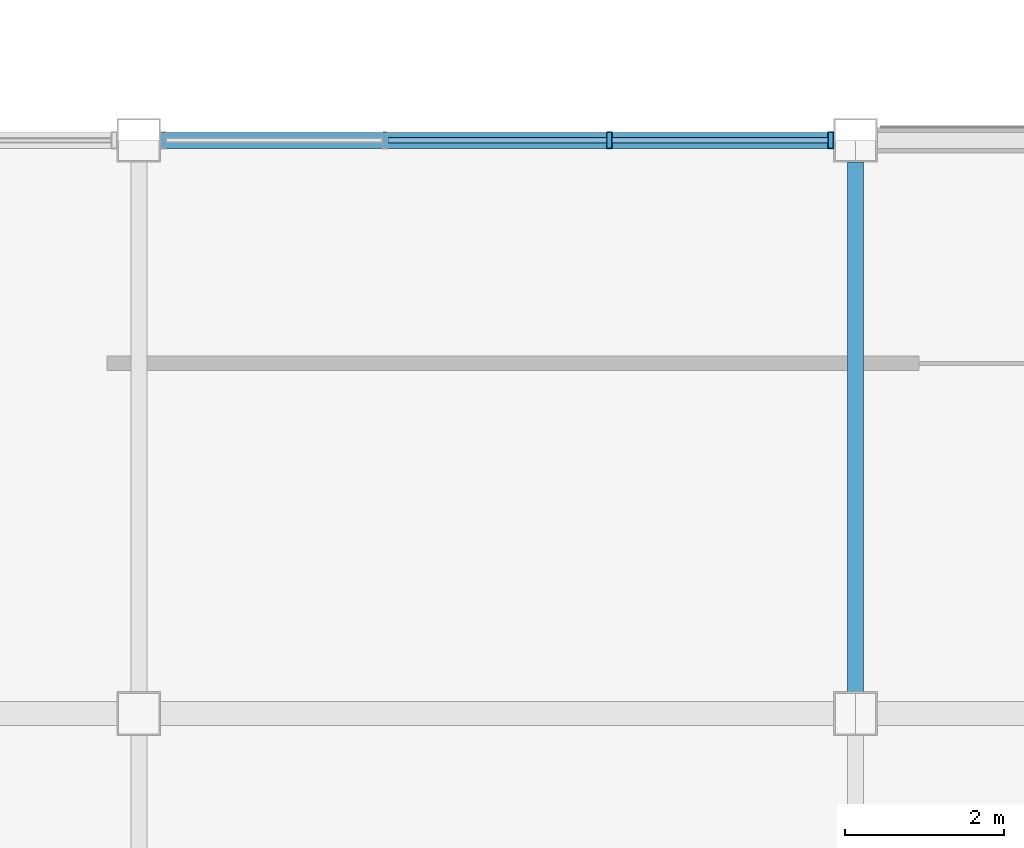
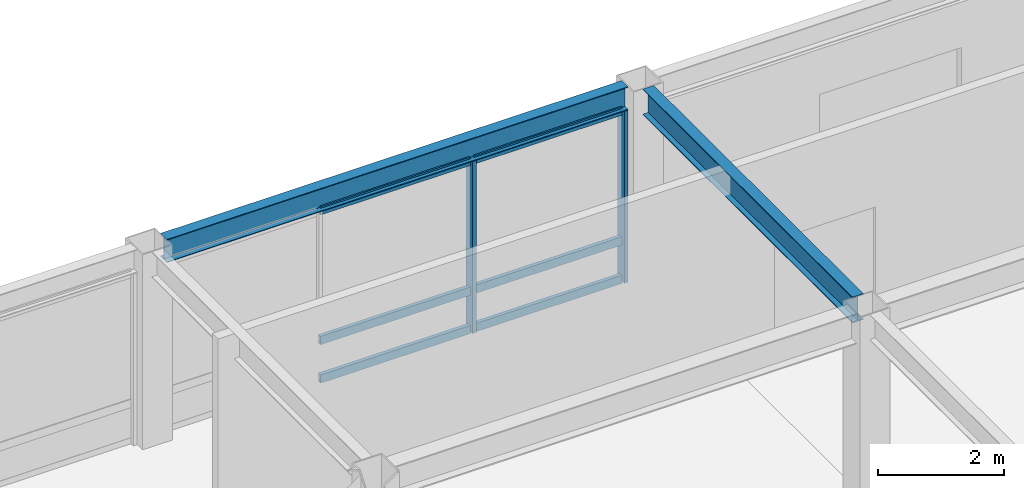
# One storey, part 44 of 113: 8 members, 2 beams, 1 element without a shape of its own.
"""IFC4 building model written with IfcOpenShell, lengths in metres."""

from ifc_helpers import new_model, si_unit, direction, frame, origin, origin_2d, place, context, subcontext, project, spatial, hollow_rectangle, i_section, extrude, material, material_profile, profile_set, type_object, element, aggregate, save


model = new_model("IFC4")

# Units and contexts
model_context = context("Model", 3, precision=1e-05, world=origin(), true_north=direction((0.0, 1.0)))
body_context = subcontext(model_context, "Body", "Model", "MODEL_VIEW")
ifc_project = project(units=[si_unit("LENGTHUNIT", "METRE"), si_unit("AREAUNIT", "SQUARE_METRE"), si_unit("VOLUMEUNIT", "CUBIC_METRE"), si_unit("PLANEANGLEUNIT", "RADIAN"), si_unit("MASSUNIT", "GRAM", prefix="KILO")], contexts=[model_context])

# Site, building, storey
site_placement = place(None, origin())
site = spatial("IfcSite", under=ifc_project, at=site_placement, CompositionType="ELEMENT")
building_placement = place(site_placement, origin())
building = spatial("IfcBuilding", under=site, at=building_placement, Name="Kazanami Central Library", CompositionType="ELEMENT")
storey_placement = place(building_placement, frame((0.0, 0.0, 8.800048828125)))
storey = spatial("IfcBuildingStorey", under=building, at=storey_placement, Name="L03", CompositionType="ELEMENT", Elevation=8.800048828125)

# Beams
ifc_material_1 = material(Name="Steel SN490B (325 MPa)", Category="steel")
ifc_material_profile_1 = material_profile(ifc_material_1, i_section(OverallWidth=0.199951171875, OverallDepth=0.5, WebThickness=0.010009765625, FlangeThickness=0.01611328125, at=origin_2d()), Name="H-500x200x10x16")
ifc_profile_set_1 = profile_set([ifc_material_profile_1], Name="Steel SN490B (325 MPa)")
beam_type_1 = type_object("IfcBeamType", Name="BM-G-Y2", PredefinedType="BEAM", material=ifc_profile_set_1)
beam_1_placement = place(storey_placement, frame((90.0, 29.072998046875, 3.530029296875), z_axis=(0.0, 1.0, 0.0), x_axis=(-1.0, 0.0, 0.0)))
element("IfcBeam", 1, at=beam_1_placement, inside=storey, type_object=beam_type_1, Name="Girder G-Y2 L03 11/E-F", PredefinedType="BEAM", context=body_context, shape_type="SweptSolid", body=[
    extrude(i_section(OverallWidth=0.199951171875, OverallDepth=0.5, WebThickness=0.010009765625, FlangeThickness=0.01611328125, at=origin_2d()), origin(), (0.0, 0.0, 1.0), 6.654052734375),
])
ifc_material_profile_2 = material_profile(ifc_material_1, i_section(OverallWidth=0.199951171875, OverallDepth=0.449951171875, WebThickness=0.009033203125, FlangeThickness=0.013916015625, at=origin_2d()), Name="H-450x200x9x14")
ifc_profile_set_2 = profile_set([ifc_material_profile_2], Name="Steel SN490B (325 MPa)")
beam_type_2 = type_object("IfcBeamType", Name="BM-SP-2", PredefinedType="SPANDREL", material=ifc_profile_set_2)
beam_2_placement = place(storey_placement, frame((81.27294921875, 36.0, 3.554931640625), z_axis=(1.0, 0.0, 0.0), x_axis=(0.0, 1.0, 0.0)))
element("IfcBeam", 2, at=beam_2_placement, inside=storey, type_object=beam_type_2, Name="Girder SP-2 L03 F/10-11", PredefinedType="SPANDREL", context=body_context, shape_type="SweptSolid", body=[
    extrude(i_section(OverallWidth=0.199951171875, OverallDepth=0.449951171875, WebThickness=0.009033203125, FlangeThickness=0.013916015625, at=origin_2d()), origin(), (0.0, 0.0, 1.0), 8.4541015625),
])

# Curtain wall, members
ifc_material_2 = material(Name="Acid-Etched Low-E Laminated Glass", Category="glass")
curtain_wall_type = type_object("IfcCurtainWallType", Name="CW-8450x3330-M275", PredefinedType="USERDEFINED", material=ifc_material_2)
curtain_wall_placement = place(storey_placement, origin())
curtain_wall = element("IfcCurtainWall", 3, at=curtain_wall_placement, inside=storey, type_object=curtain_wall_type, Name="Unitised Curtain Wall CW-25 L03 N-F-09", ObjectType="UNITISED CURTAIN WALL", PredefinedType="USERDEFINED")
ifc_material_3 = material(Name="Anodised Aluminium A6063-T5", Category="aluminium")
ifc_material_profile_3 = material_profile(ifc_material_3, hollow_rectangle(XDim=0.070068359375, YDim=0.2099609375, WallThickness=0.0048828125, at=origin_2d()), Name="ALU-MULL-70x210x5")
ifc_profile_set_3 = profile_set([ifc_material_profile_3], Name="Anodised Aluminium A6063-T5")
member_type_1 = type_object("IfcMemberType", Name="MEM-CW-M1", PredefinedType="MULLION", material=ifc_profile_set_3)
member_1_placement = place(storey_placement, frame((89.68994140625, 36.0, 0.0), z_axis=(0.0, 0.0, 1.0), x_axis=(-1.0, 0.0, 0.0)))
member_1 = element("IfcMember", 4, at=member_1_placement, type_object=member_type_1, Name="CW-25 mullion 1", PredefinedType="MULLION", context=body_context, shape_type="SweptSolid", body=[
    extrude(hollow_rectangle(XDim=0.070068359375, YDim=0.2099609375, WallThickness=0.0048828125, at=origin_2d()), origin(), (0.0, 0.0, 1.0), 3.329833984375),
])
member_2_placement = place(storey_placement, frame((86.908447265625, 36.0, 0.0), z_axis=(0.0, 0.0, 1.0), x_axis=(-1.0, 0.0, 0.0)))
member_2 = element("IfcMember", 5, at=member_2_placement, type_object=member_type_1, Name="CW-25 mullion 2", PredefinedType="MULLION", context=body_context, shape_type="SweptSolid", body=[
    extrude(hollow_rectangle(XDim=0.070068359375, YDim=0.2099609375, WallThickness=0.0048828125, at=origin_2d()), origin(), (0.0, 0.0, 1.0), 3.329833984375),
])
ifc_material_profile_4 = material_profile(ifc_material_3, hollow_rectangle(XDim=0.070068359375, YDim=0.159912109375, WallThickness=0.00390625, at=origin_2d()), Name="ALU-TRAN-70x160x4")
ifc_profile_set_4 = profile_set([ifc_material_profile_4], Name="Anodised Aluminium A6063-T5")
member_type_2 = type_object("IfcMemberType", Name="MEM-CW-T1", PredefinedType="USERDEFINED", material=ifc_profile_set_4)
member_3_placement = place(storey_placement, frame((89.655029296875, 36.0, 0.034912109375), z_axis=(-1.0, 0.0, 0.0), x_axis=(0.0, -1.0, 0.0)))
member_3 = element("IfcMember", 6, at=member_3_placement, type_object=member_type_2, Name="CW-25 transom 1.1", ObjectType="TRANSOM", PredefinedType="USERDEFINED", context=body_context, shape_type="SweptSolid", body=[
    extrude(hollow_rectangle(XDim=0.070068359375, YDim=0.159912109375, WallThickness=0.00390625, at=origin_2d()), origin(), (0.0, 0.0, 1.0), 2.711669921875),
])
member_4_placement = place(storey_placement, frame((89.655029296875, 36.0, 0.780029296875), z_axis=(-1.0, 0.0, 0.0), x_axis=(0.0, -1.0, 0.0)))
member_4 = element("IfcMember", 7, at=member_4_placement, type_object=member_type_2, Name="CW-25 transom 1.2", ObjectType="TRANSOM", PredefinedType="USERDEFINED", context=body_context, shape_type="SweptSolid", body=[
    extrude(hollow_rectangle(XDim=0.070068359375, YDim=0.159912109375, WallThickness=0.00390625, at=origin_2d()), origin(), (0.0, 0.0, 1.0), 2.711669921875),
])
member_5_placement = place(storey_placement, frame((89.655029296875, 36.0, 3.294921875), z_axis=(-1.0, 0.0, 0.0), x_axis=(0.0, -1.0, 0.0)))
member_5 = element("IfcMember", 8, at=member_5_placement, type_object=member_type_2, Name="CW-25 transom 1.3", ObjectType="TRANSOM", PredefinedType="USERDEFINED", context=body_context, shape_type="SweptSolid", body=[
    extrude(hollow_rectangle(XDim=0.070068359375, YDim=0.159912109375, WallThickness=0.00390625, at=origin_2d()), origin(), (0.0, 0.0, 1.0), 2.711669921875),
])
member_6_placement = place(storey_placement, frame((86.873291015625, 36.0, 0.034912109375), z_axis=(-1.0, 0.0, 0.0), x_axis=(0.0, -1.0, 0.0)))
member_6 = element("IfcMember", 9, at=member_6_placement, type_object=member_type_2, Name="CW-25 transom 2.1", ObjectType="TRANSOM", PredefinedType="USERDEFINED", context=body_context, shape_type="SweptSolid", body=[
    extrude(hollow_rectangle(XDim=0.070068359375, YDim=0.159912109375, WallThickness=0.00390625, at=origin_2d()), origin(), (0.0, 0.0, 1.0), 2.74658203125),
])
member_7_placement = place(storey_placement, frame((86.873291015625, 36.0, 0.780029296875), z_axis=(-1.0, 0.0, 0.0), x_axis=(0.0, -1.0, 0.0)))
member_7 = element("IfcMember", 10, at=member_7_placement, type_object=member_type_2, Name="CW-25 transom 2.2", ObjectType="TRANSOM", PredefinedType="USERDEFINED", context=body_context, shape_type="SweptSolid", body=[
    extrude(hollow_rectangle(XDim=0.070068359375, YDim=0.159912109375, WallThickness=0.00390625, at=origin_2d()), origin(), (0.0, 0.0, 1.0), 2.74658203125),
])
member_8_placement = place(storey_placement, frame((86.873291015625, 36.0, 3.294921875), z_axis=(-1.0, 0.0, 0.0), x_axis=(0.0, -1.0, 0.0)))
member_8 = element("IfcMember", 11, at=member_8_placement, type_object=member_type_2, Name="CW-25 transom 2.3", ObjectType="TRANSOM", PredefinedType="USERDEFINED", context=body_context, shape_type="SweptSolid", body=[
    extrude(hollow_rectangle(XDim=0.070068359375, YDim=0.159912109375, WallThickness=0.00390625, at=origin_2d()), origin(), (0.0, 0.0, 1.0), 2.74658203125),
])
aggregate(curtain_wall, [member_1, member_2, member_3, member_4, member_5, member_6, member_7, member_8])

save(model, "model.ifc")
